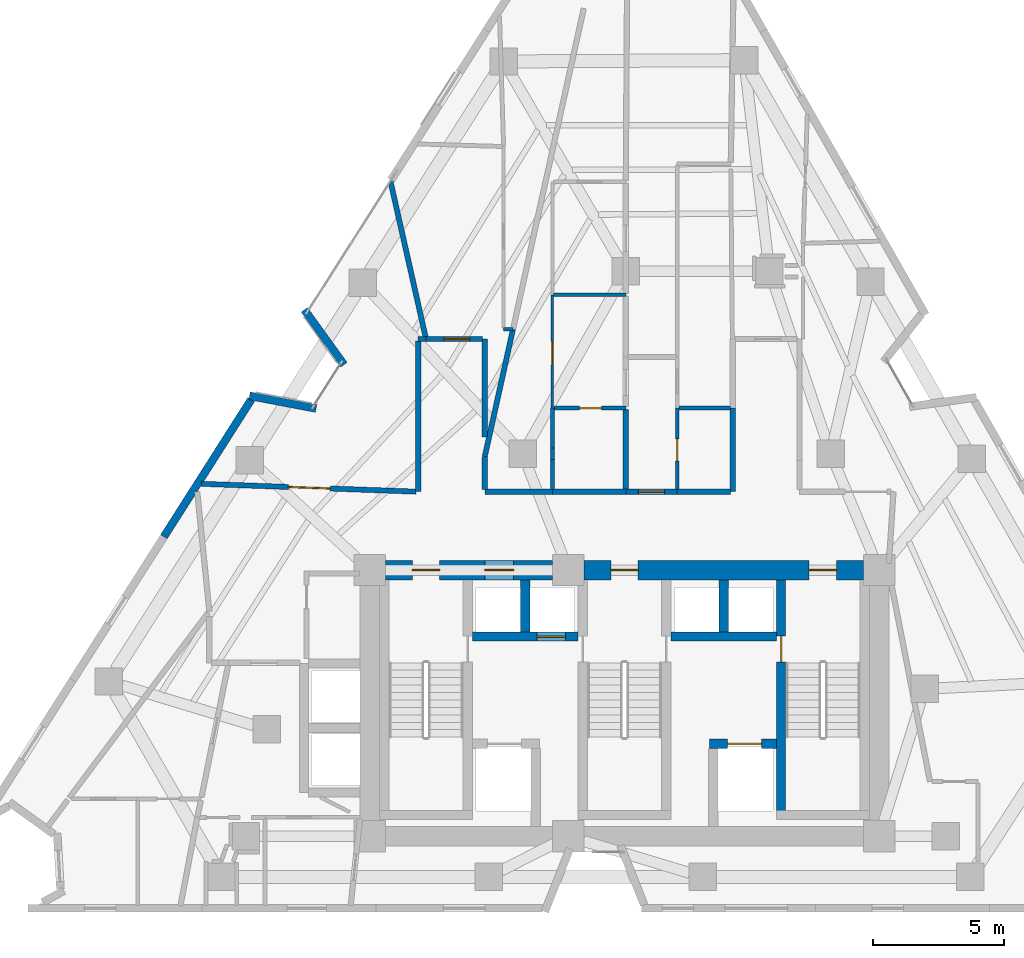
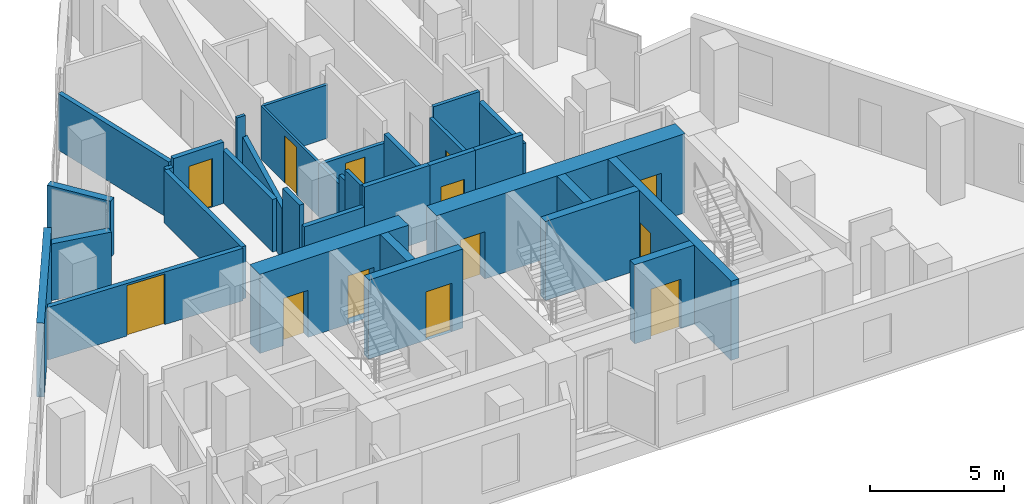
# One storey, part 7 of 11: 34 walls, 13 doors, 13 openings.
"""IFC4 building model written with IfcOpenShell, lengths in metres."""

import ifcopenshell
import ifcopenshell.guid

model = None  # the IFC model being written
_history = None  # IfcOwnerHistory: only IFC2X3 demands one
_inside = {}  # id of a spatial element -> (the spatial element, [elements in it])
_under = {}  # id of a project, library or spatial element -> (it, [spatial elements below it])
_declared = {}  # id of a project -> (the project, [libraries it declares])
_typed = {}  # id of a type object -> (the type object, [elements of that type])
_made_of = {}  # id of a material, layer set ... -> (it, [elements and type objects made of it])


def new_model(schema):
    """Start an empty IFC model of exactly this schema.

    Asked for "IFC4X3", IfcOpenShell would pick the latest addendum, in which some entities
    have other attributes; the version numbers below select the first issue.
    IFC2X3 requires an IfcOwnerHistory on every rooted entity: one is made here for all.
    """
    global model, _history
    if schema == "IFC4X3":
        model = ifcopenshell.file(schema_version=(4, 3, 0, 0))
    else:
        model = ifcopenshell.file(schema=schema)
    _inside.clear()
    _under.clear()
    _declared.clear()
    _typed.clear()
    _made_of.clear()
    _history = None
    if model.schema == "IFC2X3":
        org = make("IfcOrganization", Name="unknown")
        user = make(
            "IfcPersonAndOrganization",
            ThePerson=make("IfcPerson", FamilyName="unknown"),
            TheOrganization=org,
        )
        app = make(
            "IfcApplication",
            ApplicationDeveloper=org,
            Version="unknown",
            ApplicationFullName="unknown",
            ApplicationIdentifier="unknown",
        )
        _history = make(
            "IfcOwnerHistory",
            OwningUser=user,
            OwningApplication=app,
            ChangeAction="ADDED",
            CreationDate=0,
        )
    return model


def make(cls, **values):
    """One entity of the class cls with the attributes given. An attribute that is None is left unset."""
    return model.create_entity(
        cls, **{name: value for name, value in values.items() if value is not None}
    )


def rooted(cls, **values):
    """An entity with a GlobalId (a new one), such as an element, a storey or a relation."""
    return make(cls, GlobalId=ifcopenshell.guid.new(), OwnerHistory=_history, **values)


def si_unit(unit_type, name, prefix=None):
    """IfcSIUnit, for example si_unit("LENGTHUNIT", "METRE", prefix="MILLI")."""
    return make("IfcSIUnit", UnitType=unit_type, Prefix=prefix, Name=name)


def assignment(units):
    """IfcUnitAssignment: the units of a project."""
    return None if units is None else make("IfcUnitAssignment", Units=units)


def point(xyz):
    """IfcCartesianPoint."""
    return None if xyz is None else make("IfcCartesianPoint", Coordinates=xyz)


def direction(xyz):
    """IfcDirection."""
    return None if xyz is None else make("IfcDirection", DirectionRatios=xyz)


def frame(location, z_axis=None, x_axis=None):
    """IfcAxis2Placement3D, a coordinate frame: its origin and axes. An axis left out is left unset."""
    return make(
        "IfcAxis2Placement3D",
        Location=point(location),
        Axis=direction(z_axis),
        RefDirection=direction(x_axis),
    )


def frame_2d(location, x_axis=None):
    """IfcAxis2Placement2D, a coordinate frame in the plane: its origin and x axis."""
    return make(
        "IfcAxis2Placement2D", Location=point(location), RefDirection=direction(x_axis)
    )


def origin():
    """The frame at (0, 0, 0) with its axes left unset."""
    return frame((0.0, 0.0, 0.0))


def place(relative_to, where):
    """IfcLocalPlacement: puts the frame where relative to a parent placement (None: the world)."""
    return make(
        "IfcLocalPlacement", PlacementRelTo=relative_to, RelativePlacement=where
    )


def context(
    kind, dimensions, precision=None, world=None, true_north=None, identifier=None
):
    """IfcGeometricRepresentationContext, for example the 3D "Model" context."""
    return make(
        "IfcGeometricRepresentationContext",
        ContextIdentifier=identifier,
        ContextType=kind,
        CoordinateSpaceDimension=dimensions,
        Precision=precision,
        WorldCoordinateSystem=world,
        TrueNorth=true_north,
    )


def subcontext(parent, identifier, kind, view, scale=None):
    """IfcGeometricRepresentationSubContext, for example "Body" below "Model"."""
    return make(
        "IfcGeometricRepresentationSubContext",
        ContextIdentifier=identifier,
        ContextType=kind,
        ParentContext=parent,
        TargetScale=scale,
        TargetView=view,
    )


def project(units=None, contexts=None):
    """IfcProject with its units and contexts."""
    return rooted(
        "IfcProject",
        Name="project",
        RepresentationContexts=contexts,
        UnitsInContext=assignment(units),
    )


def spatial(cls, under=None, at=None, **own):
    """A site, building, storey or space (cls), placed at a placement, below another one or the project."""
    s = rooted(cls, ObjectPlacement=at, **own)
    if under is not None:
        _under.setdefault(under.id(), (under, []))[1].append(s)
    return s


def profile(cls, at=None, kind="AREA", **sizes):
    """A parametric profile (cls). Its sizes go by their IFC names, for example OverallWidth=200.0."""
    return make(cls, ProfileType=kind, Position=at, **sizes)


def rectangle(**sizes):
    """IfcRectangleProfileDef."""
    return profile("IfcRectangleProfileDef", **sizes)


def extrude(swept, where, along, depth):
    """IfcExtrudedAreaSolid: the profile swept, set in the frame where, extruded along a direction by depth."""
    return make(
        "IfcExtrudedAreaSolid",
        SweptArea=swept,
        Position=where,
        ExtrudedDirection=direction(along),
        Depth=depth,
    )


def shape(context_of_items, identifier, shape_type, items):
    """IfcShapeRepresentation: the items that make up one representation, for example the "Body"."""
    return make(
        "IfcShapeRepresentation",
        ContextOfItems=context_of_items,
        RepresentationIdentifier=identifier,
        RepresentationType=shape_type,
        Items=items,
    )


def material(Name=None, Category=None):
    """IfcMaterial."""
    return make("IfcMaterial", Name=Name, Category=Category)


def layer(
    of_material, thickness, ventilated=None, Name=None, Category=None, Priority=None
):
    """IfcMaterialLayer: one layer of a wall or slab, of a material (None: an air gap)."""
    return make(
        "IfcMaterialLayer",
        Material=of_material,
        LayerThickness=thickness,
        IsVentilated=ventilated,
        Name=Name,
        Category=Category,
        Priority=Priority,
    )


def layer_set(layers, Name=None):
    """IfcMaterialLayerSet."""
    return make("IfcMaterialLayerSet", MaterialLayers=layers, LayerSetName=Name)


def made_of(thing, what):
    """Note that an element or type object is made of a material, layer set ...; save() writes the relation."""
    if what is not None:
        _made_of.setdefault(what.id(), (what, []))[1].append(thing)
    return thing


def type_object(cls, material=None, **own):
    """A type object (cls), such as IfcWallType, which elements share."""
    return made_of(rooted(cls, **own), material)


def element(
    cls,
    number,
    at=None,
    inside=None,
    cuts=None,
    type_object=None,
    material=None,
    context=None,
    identifier="Body",
    shape_type=None,
    held_by="IfcProductDefinitionShape",
    body=None,
    shapes=None,
    **own,
):
    """One element of the class cls, such as IfcWall. Its Tag is "e" and its number.

    at: its placement. inside: the storey or other place that contains it. cuts: it is an
    opening in that element (IfcRelVoidsElement). A single representation is given by context,
    identifier, shape_type and body (its items); several are given by shapes. held_by: the class
    of the entity that holds the representations. save() writes the other relations.
    """
    e = rooted(cls, Tag="e%d" % number, ObjectPlacement=at, **own)
    if body is not None:
        shapes = [shape(context, identifier, shape_type, body)]
    if shapes is not None:
        e.Representation = make(held_by, Representations=shapes)
    if inside is not None:
        _inside.setdefault(inside.id(), (inside, []))[1].append(e)
    if cuts is not None:
        rooted(
            "IfcRelVoidsElement", RelatingBuildingElement=cuts, RelatedOpeningElement=e
        )
    if type_object is not None:
        _typed.setdefault(type_object.id(), (type_object, []))[1].append(e)
    return made_of(e, material)


def fill(opening, filler):
    """IfcRelFillsElement: the door or window that sits in an opening."""
    return rooted(
        "IfcRelFillsElement",
        RelatingOpeningElement=opening,
        RelatedBuildingElement=filler,
    )


def aggregate(whole, parts):
    """IfcRelAggregates: a whole, such as a stair, and the parts it consists of."""
    return rooted("IfcRelAggregates", RelatingObject=whole, RelatedObjects=parts)


def save(model, path):
    """Write the relations noted so far, then the file.

    IfcRelAggregates (storeys below a building ...), IfcRelContainedInSpatialStructure (elements
    in a storey), IfcRelDefinesByType, IfcRelAssociatesMaterial and IfcRelDeclares: one each for
    every whole, place, type object, material and project.
    """
    for whole, parts in _under.values():
        aggregate(whole, parts)
    for where, things in _inside.values():
        rooted(
            "IfcRelContainedInSpatialStructure",
            RelatedElements=things,
            RelatingStructure=where,
        )
    for kind, things in _typed.values():
        rooted("IfcRelDefinesByType", RelatedObjects=things, RelatingType=kind)
    for what, things in _made_of.values():
        rooted("IfcRelAssociatesMaterial", RelatedObjects=things, RelatingMaterial=what)
    for by, libraries in _declared.values():
        rooted("IfcRelDeclares", RelatingContext=by, RelatedDefinitions=libraries)
    model.write(path)


model = new_model("IFC4")

# Units and contexts
model_context = context("Model", 3, precision=1e-05, world=origin(), true_north=direction((0.0, 1.0)))
body_context = subcontext(model_context, "Body", "Model", "MODEL_VIEW")
ifc_project = project(units=[si_unit("LENGTHUNIT", "METRE"), si_unit("AREAUNIT", "SQUARE_METRE"), si_unit("VOLUMEUNIT", "CUBIC_METRE"), si_unit("PLANEANGLEUNIT", "RADIAN"), si_unit("MASSUNIT", "GRAM", prefix="KILO")], contexts=[model_context])

# Site, building, storey
site_placement = place(None, origin())
site = spatial("IfcSite", under=ifc_project, at=site_placement, CompositionType="ELEMENT")
building_placement = place(site_placement, origin())
building = spatial("IfcBuilding", under=site, at=building_placement, Name="Almagre Mirador Tower", CompositionType="ELEMENT")
storey_placement = place(building_placement, frame((0.0, 0.0, 146.39990234375)))
storey = spatial("IfcBuildingStorey", under=building, at=storey_placement, Name="L37", CompositionType="ELEMENT", Elevation=146.39990234375)

# Walls
ifc_material_1 = material(Name="Precast concrete C50/60", Category="concrete")
ifc_layer_1 = layer(ifc_material_1, 0.300048828125)
ifc_layer_set_1 = layer_set([ifc_layer_1], Name="Precast concrete C50/60")
wall_type_1 = type_object("IfcWallType", Name="WAL-EXT-300", PredefinedType="SOLIDWALL", material=ifc_layer_set_1)
wall_1_placement = place(storey_placement, frame((22.94140625, 21.423095703125, 0.0), z_axis=(0.0, 0.0, 1.0), x_axis=(0.982338566422, -0.18711210789, 0.0)))
element("IfcWall", 1, at=wall_1_placement, inside=storey, type_object=wall_type_1, Name="L37 expressed almagre precast frame wall 01", PredefinedType="SOLIDWALL", context=body_context, shape_type="SweptSolid", body=[
    extrude(rectangle(XDim=2.593994140625, YDim=0.300048828125, at=frame_2d((1.296875, 0.0))), origin(), (0.0, 0.0, 1.0), 2.5751953125),
])
wall_2_placement = place(storey_placement, frame((26.556884765625, 22.613525390625, 0.0), z_axis=(0.0, 0.0, 1.0), x_axis=(-0.585229316709, 0.810867835633, 0.0)))
element("IfcWall", 2, at=wall_2_placement, inside=storey, type_object=wall_type_1, Name="L37 expressed almagre precast frame wall 02", PredefinedType="SOLIDWALL", context=body_context, shape_type="SweptSolid", body=[
    extrude(rectangle(XDim=2.593505859375, YDim=0.300048828125, at=frame_2d((1.296875, 0.0))), origin(), (0.0, 0.0, 1.0), 2.5751953125),
])
wall_3_placement = place(storey_placement, frame((19.66064453125, 16.02880859375, 0.0), z_axis=(0.0, 0.0, 1.0), x_axis=(0.537144500921, 0.843490240092, 0.0)))
element("IfcWall", 3, at=wall_3_placement, inside=storey, type_object=wall_type_1, Name="L37 expressed almagre precast frame wall 35", PredefinedType="SOLIDWALL", context=body_context, shape_type="SweptSolid", body=[
    extrude(rectangle(XDim=6.22412109375, YDim=0.300048828125, at=frame_2d((3.112060546875, 0.0))), origin(), (0.0, 0.0, 1.0), 3.35009765625),
])

# Wall, opening, door
ifc_material_2 = material(Name="Gypsum acoustic stud partition", Category="other")
ifc_layer_2 = layer(ifc_material_2, 0.10009765625)
ifc_layer_set_2 = layer_set([ifc_layer_2], Name="Gypsum acoustic stud partition")
wall_type_2 = type_object("IfcWallType", Name="WAL-PRT-100-CLS", PredefinedType="PARTITIONING", material=ifc_layer_set_2)
wall_4_placement = place(storey_placement, frame((34.5400390625, 20.949951171875, 0.0), z_axis=(0.0, 0.0, 1.0), x_axis=(0.0, 1.0, 0.0)))
wall_4 = element("IfcWall", 4, at=wall_4_placement, inside=storey, type_object=wall_type_2, Name="L37 interior partition 050", PredefinedType="PARTITIONING", context=body_context, shape_type="SweptSolid", body=[
    extrude(rectangle(XDim=4.340087890625, YDim=0.10009765625, at=frame_2d((2.169921875, 0.0))), origin(), (0.0, 0.0, 1.0), 2.43603515625),
])
opening_1_placement = place(wall_4_placement, frame((1.66162109375, 0.0, 0.0)))
opening_1 = element("IfcOpeningElement", 5, at=opening_1_placement, cuts=wall_4, Name="Opening UD-02", PredefinedType="OPENING", context=body_context, shape_type="SweptSolid", body=[
    extrude(rectangle(XDim=0.89990234375, YDim=2.14990234375, at=frame_2d((0.449951171875, 1.074951171875))), frame((0.0, 0.060049, 0.0), z_axis=(0.0, -1.0, 0.0), x_axis=(1.0, 0.0, 0.0)), (0.0, 0.0, 1.0), 0.120098),
])
ifc_material_3 = material(Name="Solid American walnut timber", Category="wood")
door_type_1 = type_object("IfcDoorType", Name="DOR-UNR-900X2150", OperationType="NOTDEFINED", PredefinedType="DOOR", material=ifc_material_3)
door_1_placement = place(opening_1_placement, origin())
door_1 = element("IfcDoor", 6, at=door_1_placement, inside=storey, type_object=door_type_1, Name="DR-1206 L37 interior door L37-UG-LV to L37-UG-MB", OperationType="SINGLE_SWING_RIGHT", OverallHeight=2.14990234375, OverallWidth=0.89990234375, PredefinedType="DOOR", context=body_context, shape_type="SweptSolid", body=[
    extrude(rectangle(XDim=0.89990234375, YDim=2.14990234375, at=frame_2d((0.449951171875, 1.074951171875))), frame((0.0, 0.02490234375, 0.0), z_axis=(0.0, -1.0, 0.0), x_axis=(1.0, 0.0, 0.0)), (0.0, 0.0, 1.0), 0.050048828125),
])
fill(opening_1, door_1)

# Walls
ifc_material_4 = material(Name="Gypsum acoustic stud partition", Category="other")
ifc_layer_3 = layer(ifc_material_4, 0.125)
ifc_layer_set_3 = layer_set([ifc_layer_3], Name="Gypsum acoustic stud partition")
wall_type_3 = type_object("IfcWallType", Name="WAL-PRT-125-UTL", PredefinedType="PARTITIONING", material=ifc_layer_set_3)
wall_5_placement = place(storey_placement, frame((34.58740234375, 25.2900390625, 0.0), z_axis=(0.0, 0.0, 1.0), x_axis=(1.0, 0.0, 0.0)))
element("IfcWall", 7, at=wall_5_placement, inside=storey, type_object=wall_type_3, Name="L37 interior partition 056", PredefinedType="PARTITIONING", context=body_context, shape_type="SweptSolid", body=[
    extrude(rectangle(XDim=2.7626953125, YDim=0.125, at=frame_2d((1.38134765625, 0.0))), origin(), (0.0, 0.0, 1.0), 2.43603515625),
])
wall_6_placement = place(storey_placement, frame((33.030029296875, 23.969970703125, 0.0), z_axis=(0.0, 0.0, 1.0), x_axis=(-1.0, 0.0, 0.0)))
element("IfcWall", 8, at=wall_6_placement, inside=storey, type_object=wall_type_3, Name="L37 interior partition 060", PredefinedType="PARTITIONING", context=body_context, shape_type="SweptSolid", body=[
    extrude(rectangle(XDim=0.360107421875, YDim=0.125, at=frame_2d((0.18017578125, 0.0))), origin(), (0.0, 0.0, 1.0), 3.35009765625),
])
ifc_material_5 = material(Name="Gypsum acoustic stud partition", Category="other")
ifc_layer_4 = layer(ifc_material_5, 0.14990234375)
ifc_layer_set_4 = layer_set([ifc_layer_4], Name="Gypsum acoustic stud partition")
wall_type_4 = type_object("IfcWallType", Name="WAL-PRT-150-STD", PredefinedType="PARTITIONING", material=ifc_layer_set_4)
wall_7_placement = place(storey_placement, frame((34.5400390625, 17.8349609375, 0.0), z_axis=(0.0, 0.0, 1.0), x_axis=(0.0, 1.0, 0.0)))
element("IfcWall", 9, at=wall_7_placement, inside=storey, type_object=wall_type_4, Name="L37 interior partition 046", PredefinedType="PARTITIONING", context=body_context, shape_type="SweptSolid", body=[
    extrude(rectangle(XDim=1.14501953125, YDim=0.14990234375, at=frame_2d((0.572509765625, 0.0))), origin(), (0.0, 0.0, 1.0), 3.35009765625),
])
wall_8_placement = place(storey_placement, frame((34.5400390625, 19.419921875, 0.0), z_axis=(0.0, 0.0, 1.0), x_axis=(0.0, 1.0, 0.0)))
element("IfcWall", 10, at=wall_8_placement, inside=storey, type_object=wall_type_4, Name="L37 interior partition 047", PredefinedType="PARTITIONING", context=body_context, shape_type="SweptSolid", body=[
    extrude(rectangle(XDim=1.530029296875, YDim=0.14990234375, at=frame_2d((0.76513671875, 0.0))), origin(), (0.0, 0.0, 1.0), 2.43603515625),
])

# Wall, opening, door
wall_9_placement = place(storey_placement, frame((37.35009765625, 20.949951171875, 0.0), z_axis=(0.0, 0.0, 1.0), x_axis=(-1.0, 0.0, 0.0)))
wall_9 = element("IfcWall", 11, at=wall_9_placement, inside=storey, type_object=wall_type_4, Name="L37 interior partition 054", PredefinedType="PARTITIONING", context=body_context, shape_type="SweptSolid", body=[
    extrude(rectangle(XDim=2.75, YDim=0.14990234375, at=frame_2d((1.375, 0.0))), origin(), (0.0, 0.0, 1.0), 2.43603515625),
])
opening_2_placement = place(wall_9_placement, frame((0.924072265625, 0.0, 0.0)))
opening_2 = element("IfcOpeningElement", 12, at=opening_2_placement, cuts=wall_9, Name="Opening UD-04", PredefinedType="OPENING", context=body_context, shape_type="SweptSolid", body=[
    extrude(rectangle(XDim=0.85009765625, YDim=2.10009765625, at=frame_2d((0.425048828125, 1.050048828125))), frame((0.0, 0.084951, 0.0), z_axis=(0.0, -1.0, 0.0), x_axis=(1.0, 0.0, 0.0)), (0.0, 0.0, 1.0), 0.169902),
])
ifc_material_6 = material(Name="Moisture-resistant oak timber", Category="wood")
door_type_2 = type_object("IfcDoorType", Name="DOR-UNR-850X2100", OperationType="NOTDEFINED", PredefinedType="DOOR", material=ifc_material_6)
door_2_placement = place(opening_2_placement, origin())
door_2 = element("IfcDoor", 13, at=door_2_placement, inside=storey, type_object=door_type_2, Name="DR-1217 L37 interior door L37-UG-HB to L37-UG-MB", OperationType="SINGLE_SWING_RIGHT", OverallHeight=2.10009765625, OverallWidth=0.85009765625, PredefinedType="DOOR", context=body_context, shape_type="SweptSolid", body=[
    extrude(rectangle(XDim=0.85009765625, YDim=2.10009765625, at=frame_2d((0.425048828125, 1.050048828125))), frame((0.0, 0.02490234375, 0.0), z_axis=(0.0, -1.0, 0.0), x_axis=(1.0, 0.0, 0.0)), (0.0, 0.0, 1.0), 0.050048828125),
])
fill(opening_2, door_2)

wall_10_placement = place(storey_placement, frame((39.320068359375, 17.8349609375, 0.0), z_axis=(0.0, 0.0, 1.0), x_axis=(0.0, 1.0, 0.0)))
wall_10 = element("IfcWall", 14, at=wall_10_placement, inside=storey, type_object=wall_type_4, Name="L37 interior partition 064", PredefinedType="PARTITIONING", context=body_context, shape_type="SweptSolid", body=[
    extrude(rectangle(XDim=3.114990234375, YDim=0.14990234375, at=frame_2d((1.5576171875, 0.0))), origin(), (0.0, 0.0, 1.0), 2.85302734375),
])
opening_3_placement = place(wall_10_placement, frame((1.090087890625, 0.0, 0.0)))
opening_3 = element("IfcOpeningElement", 15, at=opening_3_placement, cuts=wall_10, Name="Opening UD-04", PredefinedType="OPENING", context=body_context, shape_type="SweptSolid", body=[
    extrude(rectangle(XDim=0.85009765625, YDim=2.10009765625, at=frame_2d((0.425048828125, 1.050048828125))), frame((0.0, 0.084951, 0.0), z_axis=(0.0, -1.0, 0.0), x_axis=(1.0, 0.0, 0.0)), (0.0, 0.0, 1.0), 0.169902),
])
door_3_placement = place(opening_3_placement, origin())
door_3 = element("IfcDoor", 16, at=door_3_placement, inside=storey, type_object=door_type_2, Name="DR-1211 L37 interior door L37-UJ-ST to L37-UJ-HB", OperationType="SINGLE_SWING_RIGHT", OverallHeight=2.10009765625, OverallWidth=0.85009765625, PredefinedType="DOOR", context=body_context, shape_type="SweptSolid", body=[
    extrude(rectangle(XDim=0.85009765625, YDim=2.10009765625, at=frame_2d((0.425048828125, 1.050048828125))), frame((0.0, 0.02490234375, 0.0), z_axis=(0.0, -1.0, 0.0), x_axis=(1.0, 0.0, 0.0)), (0.0, 0.0, 1.0), 0.050048828125),
])
fill(opening_3, door_3)

# Walls
wall_11_placement = place(storey_placement, frame((41.364990234375, 20.949951171875, 0.0), z_axis=(0.0, 0.0, 1.0), x_axis=(-1.0, 0.0, 0.0)))
element("IfcWall", 17, at=wall_11_placement, inside=storey, type_object=wall_type_4, Name="L37 interior partition 067", PredefinedType="PARTITIONING", context=body_context, shape_type="SweptSolid", body=[
    extrude(rectangle(XDim=1.985107421875, YDim=0.14990234375, at=frame_2d((0.99267578125, 0.0))), origin(), (0.0, 0.0, 1.0), 3.35009765625),
])
wall_12_placement = place(storey_placement, frame((34.5400390625, 19.419921875, 0.0), z_axis=(0.0, 0.0, 1.0), x_axis=(0.0, -1.0, 0.0)))
element("IfcWall", 18, at=wall_12_placement, inside=storey, type_object=wall_type_4, Name="L37 interior partition 087", PredefinedType="PARTITIONING", context=body_context, shape_type="SweptSolid", body=[
    extrude(rectangle(XDim=0.43994140625, YDim=0.14990234375, at=frame_2d((0.219970703125, 0.0))), origin(), (0.0, 0.0, 1.0), 2.85302734375),
])
ifc_material_7 = material(Name="Gypsum acoustic stud partition", Category="other")
ifc_layer_5 = layer(ifc_material_7, 0.199951171875)
ifc_layer_set_5 = layer_set([ifc_layer_5], Name="Gypsum acoustic stud partition")
wall_type_5 = type_object("IfcWallType", Name="WAL-PRT-200-EI60", PredefinedType="PARTITIONING", material=ifc_layer_set_5)
wall_13_placement = place(storey_placement, frame((29.699951171875, 23.60009765625, 0.0), z_axis=(0.0, 0.0, 1.0), x_axis=(-1.0, 0.0, 0.0)))
element("IfcWall", 19, at=wall_13_placement, inside=storey, type_object=wall_type_5, Name="L37 interior partition 007", PredefinedType="PARTITIONING", context=body_context, shape_type="SweptSolid", body=[
    extrude(rectangle(XDim=0.300048828125, YDim=0.199951171875, at=frame_2d((0.14990234375, 0.0))), origin(), (0.0, 0.0, 1.0), 2.39306640625),
])
wall_14_placement = place(storey_placement, frame((29.39990234375, 23.514892578125, 0.0), z_axis=(0.0, 0.0, 1.0), x_axis=(0.0, -1.0, 0.0)))
element("IfcWall", 20, at=wall_14_placement, inside=storey, type_object=wall_type_5, Name="L37 interior partition 008", PredefinedType="PARTITIONING", context=body_context, shape_type="SweptSolid", body=[
    extrude(rectangle(XDim=5.764892578125, YDim=0.199951171875, at=frame_2d((2.88232421875, 0.0))), origin(), (0.0, 0.0, 1.0), 2.39306640625),
])

# Wall, opening, door
wall_15_placement = place(storey_placement, frame((29.315185546875, 17.7529296875, 0.0), z_axis=(0.0, 0.0, 1.0), x_axis=(-0.999333344418, 0.036508447439, 0.0)))
wall_15 = element("IfcWall", 21, at=wall_15_placement, inside=storey, type_object=wall_type_5, Name="L37 interior partition 009", PredefinedType="PARTITIONING", context=body_context, shape_type="SweptSolid", body=[
    extrude(rectangle(XDim=8.218505859375, YDim=0.199951171875, at=frame_2d((4.109375, 0.0))), origin(), (0.0, 0.0, 1.0), 2.39306640625),
])
opening_4_placement = place(wall_15_placement, frame((3.28662109375, 0.0, 0.0)))
opening_4 = element("IfcOpeningElement", 22, at=opening_4_placement, cuts=wall_15, Name="Opening ID-05", PredefinedType="OPENING", context=body_context, shape_type="SweptSolid", body=[
    extrude(rectangle(XDim=1.60009765625, YDim=2.300048828125, at=frame_2d((0.800048828125, 1.14990234375))), frame((0.0, 0.110098, 0.0), z_axis=(0.0, -1.0, 0.0), x_axis=(1.0, 0.0, 0.0)), (0.0, 0.0, 1.0), 0.219951),
])
ifc_material_8 = material(Name="Fire-rated acoustic timber", Category="wood")
door_type_3 = type_object("IfcDoorType", Name="DOR-FD60-1600X2300", OperationType="DOUBLE_DOOR_SINGLE_SWING", PredefinedType="DOOR", material=ifc_material_8)
door_4_placement = place(opening_4_placement, origin())
door_4 = element("IfcDoor", 23, at=door_4_placement, inside=storey, type_object=door_type_3, Name="DR-1198 L37 interior door L37-RCOR to L37-RST-F", OperationType="DOUBLE_DOOR_SINGLE_SWING", OverallHeight=2.300048828125, OverallWidth=1.60009765625, PredefinedType="DOOR", context=body_context, shape_type="SweptSolid", body=[
    extrude(rectangle(XDim=1.60009765625, YDim=2.300048828125, at=frame_2d((0.800048828125, 1.14990234375))), frame((0.0, 0.02490234375, 0.0), z_axis=(0.0, -1.0, 0.0), x_axis=(1.0, 0.0, 0.0)), (0.0, 0.0, 1.0), 0.050048828125),
])
fill(opening_4, door_4)

# Walls
wall_16_placement = place(storey_placement, frame((34.5400390625, 17.75, 0.0), z_axis=(0.0, 0.0, 1.0), x_axis=(-1.0, 0.0, 0.0)))
element("IfcWall", 24, at=wall_16_placement, inside=storey, type_object=wall_type_5, Name="L37 interior partition 011", PredefinedType="PARTITIONING", context=body_context, shape_type="SweptSolid", body=[
    extrude(rectangle(XDim=2.590087890625, YDim=0.199951171875, at=frame_2d((1.294921875, 0.0))), origin(), (0.0, 0.0, 1.0), 2.43603515625),
])
wall_17_placement = place(storey_placement, frame((31.949951171875, 17.8349609375, 0.0), z_axis=(0.0, 0.0, 1.0), x_axis=(0.0, 1.0, 0.0)))
element("IfcWall", 25, at=wall_17_placement, inside=storey, type_object=wall_type_5, Name="L37 interior partition 012", PredefinedType="PARTITIONING", context=body_context, shape_type="SweptSolid", body=[
    extrude(rectangle(XDim=1.26513671875, YDim=0.199951171875, at=frame_2d((0.632568359375, 0.0))), origin(), (0.0, 0.0, 1.0), 3.35009765625),
])
wall_18_placement = place(storey_placement, frame((37.35009765625, 17.75, 0.0), z_axis=(0.0, 0.0, 1.0), x_axis=(-1.0, 0.0, 0.0)))
element("IfcWall", 26, at=wall_18_placement, inside=storey, type_object=wall_type_5, Name="L37 interior partition 013", PredefinedType="PARTITIONING", context=body_context, shape_type="SweptSolid", body=[
    extrude(rectangle(XDim=2.81005859375, YDim=0.199951171875, at=frame_2d((1.405029296875, 0.0))), origin(), (0.0, 0.0, 1.0), 3.35009765625),
])
wall_19_placement = place(storey_placement, frame((31.949951171875, 19.839111328125, 0.0), z_axis=(0.0, 0.0, 1.0), x_axis=(0.0, 1.0, 0.0)))
element("IfcWall", 27, at=wall_19_placement, inside=storey, type_object=wall_type_5, Name="L37 interior partition 014", PredefinedType="PARTITIONING", context=body_context, shape_type="SweptSolid", body=[
    extrude(rectangle(XDim=3.760986328125, YDim=0.199951171875, at=frame_2d((1.88037109375, 0.0))), origin(), (0.0, 0.0, 1.0), 2.39306640625),
])

# Wall, opening, door
wall_20_placement = place(storey_placement, frame((31.864990234375, 23.60009765625, 0.0), z_axis=(0.0, 0.0, 1.0), x_axis=(-1.0, 0.0, 0.0)))
wall_20 = element("IfcWall", 28, at=wall_20_placement, inside=storey, type_object=wall_type_5, Name="L37 interior partition 015", PredefinedType="PARTITIONING", context=body_context, shape_type="SweptSolid", body=[
    extrude(rectangle(XDim=2.1650390625, YDim=0.199951171875, at=frame_2d((1.08251953125, 0.0))), origin(), (0.0, 0.0, 1.0), 2.787109375),
])
opening_5_placement = place(wall_20_placement, frame((0.486083984375, 0.0, 0.0)))
opening_5 = element("IfcOpeningElement", 29, at=opening_5_placement, cuts=wall_20, Name="Opening ID-01", PredefinedType="OPENING", context=body_context, shape_type="SweptSolid", body=[
    extrude(rectangle(XDim=1.0, YDim=2.199951171875, at=frame_2d((0.5, 1.10009765625))), frame((0.0, 0.110098, 0.0), z_axis=(0.0, -1.0, 0.0), x_axis=(1.0, 0.0, 0.0)), (0.0, 0.0, 1.0), 0.219951),
])
ifc_material_9 = material(Name="Fire-rated walnut timber", Category="wood")
door_type_4 = type_object("IfcDoorType", Name="DOR-FD60-1000X2200", OperationType="NOTDEFINED", PredefinedType="DOOR", material=ifc_material_9)
door_5_placement = place(opening_5_placement, origin())
door_5 = element("IfcDoor", 30, at=door_5_placement, inside=storey, type_object=door_type_4, Name="DR-1207 L37 interior door L37-RCOR to L37-UH-ST", OperationType="SINGLE_SWING_LEFT", OverallHeight=2.199951171875, OverallWidth=1.0, PredefinedType="DOOR", context=body_context, shape_type="SweptSolid", body=[
    extrude(rectangle(XDim=1.0, YDim=2.199951171875, at=frame_2d((0.5, 1.10009765625))), frame((0.0, 0.02490234375, 0.0), z_axis=(0.0, -1.0, 0.0), x_axis=(1.0, 0.0, 0.0)), (0.0, 0.0, 1.0), 0.050048828125),
])
fill(opening_5, door_5)

wall_21_placement = place(storey_placement, frame((39.320068359375, 17.75, 0.0), z_axis=(0.0, 0.0, 1.0), x_axis=(-1.0, 0.0, 0.0)))
wall_21 = element("IfcWall", 31, at=wall_21_placement, inside=storey, type_object=wall_type_5, Name="L37 interior partition 016", PredefinedType="PARTITIONING", context=body_context, shape_type="SweptSolid", body=[
    extrude(rectangle(XDim=1.969970703125, YDim=0.199951171875, at=frame_2d((0.98486328125, 0.0))), origin(), (0.0, 0.0, 1.0), 3.35009765625),
])
opening_6_placement = place(wall_21_placement, frame((0.485107421875, 0.0, 0.0)))
opening_6 = element("IfcOpeningElement", 32, at=opening_6_placement, cuts=wall_21, Name="Opening ID-01", PredefinedType="OPENING", context=body_context, shape_type="SweptSolid", body=[
    extrude(rectangle(XDim=1.0, YDim=2.199951171875, at=frame_2d((0.5, 1.10009765625))), frame((0.0, 0.110098, 0.0), z_axis=(0.0, -1.0, 0.0), x_axis=(1.0, 0.0, 0.0)), (0.0, 0.0, 1.0), 0.219951),
])
door_6_placement = place(opening_6_placement, origin())
door_6 = element("IfcDoor", 33, at=door_6_placement, inside=storey, type_object=door_type_4, Name="DR-1209 L37 interior door L37-RCOR to L37-UJ-ST", OperationType="SINGLE_SWING_RIGHT", OverallHeight=2.199951171875, OverallWidth=1.0, PredefinedType="DOOR", context=body_context, shape_type="SweptSolid", body=[
    extrude(rectangle(XDim=1.0, YDim=2.199951171875, at=frame_2d((0.5, 1.10009765625))), frame((0.0, 0.02490234375, 0.0), z_axis=(0.0, -1.0, 0.0), x_axis=(1.0, 0.0, 0.0)), (0.0, 0.0, 1.0), 0.050048828125),
])
fill(opening_6, door_6)

# Walls
wall_22_placement = place(storey_placement, frame((41.449951171875, 20.949951171875, 0.0), z_axis=(0.0, 0.0, 1.0), x_axis=(0.0, -1.0, 0.0)))
element("IfcWall", 34, at=wall_22_placement, inside=storey, type_object=wall_type_5, Name="L37 interior partition 017", PredefinedType="PARTITIONING", context=body_context, shape_type="SweptSolid", body=[
    extrude(rectangle(XDim=3.199951171875, YDim=0.199951171875, at=frame_2d((1.60009765625, 0.0))), origin(), (0.0, 0.0, 1.0), 2.85302734375),
])
wall_23_placement = place(storey_placement, frame((41.364990234375, 17.75, 0.0), z_axis=(0.0, 0.0, 1.0), x_axis=(-1.0, 0.0, 0.0)))
element("IfcWall", 35, at=wall_23_placement, inside=storey, type_object=wall_type_5, Name="L37 interior partition 018", PredefinedType="PARTITIONING", context=body_context, shape_type="SweptSolid", body=[
    extrude(rectangle(XDim=2.044921875, YDim=0.199951171875, at=frame_2d((1.0224609375, 0.0))), origin(), (0.0, 0.0, 1.0), 3.35009765625),
])
wall_24_placement = place(storey_placement, frame((29.681884765625, 23.68310546875, 0.0), z_axis=(0.0, 0.0, 1.0), x_axis=(-0.22009949455, 0.97547742798, 0.0)))
element("IfcWall", 36, at=wall_24_placement, inside=storey, type_object=wall_type_5, Name="L37 interior partition 045", PredefinedType="PARTITIONING", context=body_context, shape_type="SweptSolid", body=[
    extrude(rectangle(XDim=6.0830078125, YDim=0.199951171875, at=frame_2d((3.04150390625, 0.0))), origin(), (0.0, 0.0, 1.0), 2.570068359375),
])
wall_25_placement = place(storey_placement, frame((33.030029296875, 23.969970703125, 0.0), z_axis=(0.0, 0.0, 1.0), x_axis=(-0.216526223157, -0.976276802288, 0.0)))
element("IfcWall", 37, at=wall_25_placement, inside=storey, type_object=wall_type_5, Name="L37 interior partition 051", PredefinedType="PARTITIONING", context=body_context, shape_type="SweptSolid", body=[
    extrude(rectangle(XDim=4.98828125, YDim=0.199951171875, at=frame_2d((2.494140625, 0.0))), origin(), (0.0, 0.0, 1.0), 2.39306640625),
])
wall_26_placement = place(storey_placement, frame((37.35009765625, 17.8349609375, 0.0), z_axis=(0.0, 0.0, 1.0), x_axis=(0.0, 1.0, 0.0)))
element("IfcWall", 38, at=wall_26_placement, inside=storey, type_object=wall_type_5, Name="L37 interior partition 055", PredefinedType="PARTITIONING", context=body_context, shape_type="SweptSolid", body=[
    extrude(rectangle(XDim=3.054931640625, YDim=0.199951171875, at=frame_2d((1.52734375, 0.0))), origin(), (0.0, 0.0, 1.0), 2.85302734375),
])

# Wall, opening, door
ifc_material_10 = material(Name="Concrete C60/75", Category="concrete")
ifc_layer_6 = layer(ifc_material_10, 0.35009765625)
ifc_layer_set_6 = layer_set([ifc_layer_6], Name="Concrete C60/75")
wall_type_6 = type_object("IfcWallType", Name="WAL-SHF-350", PredefinedType="SOLIDWALL", material=ifc_layer_set_6)
wall_27_placement = place(storey_placement, frame((43.300048828125, 5.199951171875, 0.0), z_axis=(0.0, 0.0, 1.0), x_axis=(0.0, 1.0, 0.0)))
wall_27 = element("IfcWall", 39, at=wall_27_placement, inside=storey, type_object=wall_type_6, Name="L37 shaft wall ST3-W", PredefinedType="SOLIDWALL", context=body_context, shape_type="SweptSolid", body=[
    extrude(rectangle(XDim=9.175048828125, YDim=0.35009765625, at=frame_2d((4.58740234375, 0.0))), origin(), (0.0, 0.0, 1.0), 3.60009765625),
])
opening_7_placement = place(wall_27_placement, frame((6.02001953125, 0.0, 0.0)))
opening_7 = element("IfcOpeningElement", 40, at=opening_7_placement, cuts=wall_27, Name="Opening FD-01", PredefinedType="OPENING", context=body_context, shape_type="SweptSolid", body=[
    extrude(rectangle(XDim=1.0, YDim=2.14990234375, at=frame_2d((0.5, 1.074951171875))), frame((0.0, 0.185049, 0.0), z_axis=(0.0, -1.0, 0.0), x_axis=(1.0, 0.0, 0.0)), (0.0, 0.0, 1.0), 0.370098),
])
ifc_material_11 = material(Name="Fire-rated hollow steel", Category="steel")
door_type_5 = type_object("IfcDoorType", Name="DOR-FFL-1000X2150", OperationType="NOTDEFINED", PredefinedType="DOOR", material=ifc_material_11)
door_7_placement = place(opening_7_placement, origin())
door_7 = element("IfcDoor", 41, at=door_7_placement, inside=storey, type_object=door_type_5, Name="DR-1196 L37 FFL2-ST3 smokeproof door", OperationType="SINGLE_SWING_RIGHT", OverallHeight=2.14990234375, OverallWidth=1.0, PredefinedType="DOOR", context=body_context, shape_type="SweptSolid", body=[
    extrude(rectangle(XDim=1.0, YDim=2.14990234375, at=frame_2d((0.5, 1.074951171875))), frame((0.0, 0.02490234375, 0.0), z_axis=(0.0, -1.0, 0.0), x_axis=(1.0, 0.0, 0.0)), (0.0, 0.0, 1.0), 0.050048828125),
])
fill(opening_7, door_7)

wall_28_placement = place(storey_placement, frame((40.550048828125, 8.10009765625, 0.0), z_axis=(0.0, 0.0, 1.0), x_axis=(1.0, 0.0, 0.0)))
wall_28 = element("IfcWall", 42, at=wall_28_placement, inside=storey, type_object=wall_type_6, Name="L37 shaft wall FSAE2-N", PredefinedType="SOLIDWALL", context=body_context, shape_type="SweptSolid", body=[
    extrude(rectangle(XDim=2.574951171875, YDim=0.35009765625, at=frame_2d((1.28759765625, 0.0))), origin(), (0.0, 0.0, 1.0), 3.60009765625),
])
opening_8_placement = place(wall_28_placement, frame((0.699951171875, 0.0, 0.0)))
opening_8 = element("IfcOpeningElement", 43, at=opening_8_placement, cuts=wall_28, Name="Opening LD-03", PredefinedType="OPENING", context=body_context, shape_type="SweptSolid", body=[
    extrude(rectangle(XDim=1.300048828125, YDim=2.25, at=frame_2d((0.64990234375, 1.125))), frame((0.0, 0.185049, 0.0), z_axis=(0.0, -1.0, 0.0), x_axis=(1.0, 0.0, 0.0)), (0.0, 0.0, 1.0), 0.370098),
])
ifc_material_12 = material(Name="Hollow stainless steel", Category="steel")
door_type_6 = type_object("IfcDoorType", Name="DOR-LD-1300X2250", OperationType="DOUBLE_DOOR_SLIDING", PredefinedType="DOOR", material=ifc_material_12)
door_8_placement = place(opening_8_placement, origin())
door_8 = element("IfcDoor", 44, at=door_8_placement, inside=storey, type_object=door_type_6, Name="DR-1220 L37 FSAE-2 lift landing door", OperationType="DOUBLE_DOOR_SLIDING", OverallHeight=2.25, OverallWidth=1.300048828125, PredefinedType="DOOR", context=body_context, shape_type="SweptSolid", body=[
    extrude(rectangle(XDim=1.300048828125, YDim=2.25, at=frame_2d((0.64990234375, 1.125))), frame((0.0, 0.02490234375, 0.0), z_axis=(0.0, -1.0, 0.0), x_axis=(1.0, 0.0, 0.0)), (0.0, 0.0, 1.0), 0.050048828125),
])
fill(opening_8, door_8)

wall_29_placement = place(storey_placement, frame((31.47509765625, 12.199951171875, 0.0), z_axis=(0.0, 0.0, 1.0), x_axis=(1.0, 0.0, 0.0)))
wall_29 = element("IfcWall", 45, at=wall_29_placement, inside=storey, type_object=wall_type_6, Name="L37 shaft wall PLM-S", PredefinedType="SOLIDWALL", context=body_context, shape_type="SweptSolid", body=[
    extrude(rectangle(XDim=4.0498046875, YDim=0.35009765625, at=frame_2d((2.02490234375, 0.0))), origin(), (0.0, 0.0, 1.0), 3.60009765625),
])
opening_9_placement = place(wall_29_placement, frame((2.47509765625, 0.0, 0.0)))
opening_9 = element("IfcOpeningElement", 46, at=opening_9_placement, cuts=wall_29, Name="Opening LD-01", PredefinedType="OPENING", context=body_context, shape_type="SweptSolid", body=[
    extrude(rectangle(XDim=1.10009765625, YDim=2.199951171875, at=frame_2d((0.550048828125, 1.10009765625))), frame((0.0, 0.185049, 0.0), z_axis=(0.0, -1.0, 0.0), x_axis=(1.0, 0.0, 0.0)), (0.0, 0.0, 1.0), 0.370098),
])
ifc_material_13 = material(Name="Hollow stainless steel", Category="steel")
door_type_7 = type_object("IfcDoorType", Name="DOR-LD-1100X2200", OperationType="DOUBLE_DOOR_SLIDING", PredefinedType="DOOR", material=ifc_material_13)
door_9_placement = place(opening_9_placement, origin())
door_9 = element("IfcDoor", 47, at=door_9_placement, inside=storey, type_object=door_type_7, Name="DR-1222 L37 PL-M2 lift landing door", OperationType="DOUBLE_DOOR_SLIDING", OverallHeight=2.199951171875, OverallWidth=1.10009765625, PredefinedType="DOOR", context=body_context, shape_type="SweptSolid", body=[
    extrude(rectangle(XDim=1.10009765625, YDim=2.199951171875, at=frame_2d((0.550048828125, 1.10009765625))), frame((0.0, 0.02490234375, 0.0), z_axis=(0.0, -1.0, 0.0), x_axis=(1.0, 0.0, 0.0)), (0.0, 0.0, 1.0), 0.050048828125),
])
fill(opening_9, door_9)

# Walls
wall_30_placement = place(storey_placement, frame((33.5, 12.375, 0.0), z_axis=(0.0, 0.0, 1.0), x_axis=(0.0, 1.0, 0.0)))
element("IfcWall", 48, at=wall_30_placement, inside=storey, type_object=wall_type_6, Name="L37 shaft wall PLM-M", PredefinedType="SOLIDWALL", context=body_context, shape_type="SweptSolid", body=[
    extrude(rectangle(XDim=2.0, YDim=0.35009765625, at=frame_2d((1.0, 0.0))), origin(), (0.0, 0.0, 1.0), 3.60009765625),
])
wall_31_placement = place(storey_placement, frame((39.074951171875, 12.199951171875, 0.0), z_axis=(0.0, 0.0, 1.0), x_axis=(1.0, 0.0, 0.0)))
element("IfcWall", 49, at=wall_31_placement, inside=storey, type_object=wall_type_6, Name="L37 shaft wall PLH-S", PredefinedType="SOLIDWALL", context=body_context, shape_type="SweptSolid", body=[
    extrude(rectangle(XDim=4.050048828125, YDim=0.35009765625, at=frame_2d((2.02490234375, 0.0))), origin(), (0.0, 0.0, 1.0), 3.60009765625),
])
wall_32_placement = place(storey_placement, frame((41.10009765625, 12.375, 0.0), z_axis=(0.0, 0.0, 1.0), x_axis=(0.0, 1.0, 0.0)))
element("IfcWall", 50, at=wall_32_placement, inside=storey, type_object=wall_type_6, Name="L37 shaft wall PLH-M", PredefinedType="SOLIDWALL", context=body_context, shape_type="SweptSolid", body=[
    extrude(rectangle(XDim=2.0, YDim=0.35009765625, at=frame_2d((1.0, 0.0))), origin(), (0.0, 0.0, 1.0), 3.60009765625),
])

# Wall, openings, doors
ifc_material_14 = material(Name="Concrete C60/75", Category="concrete")
ifc_layer_7 = layer(ifc_material_14, 0.75)
ifc_layer_set_7 = layer_set([ifc_layer_7], Name="Concrete C60/75")
wall_type_7 = type_object("IfcWallType", Name="WAL-SHR-750", PredefinedType="SHEAR", material=ifc_layer_set_7)
wall_33_placement = place(storey_placement, frame((28.14990234375, 14.75, 0.0), z_axis=(0.0, 0.0, 1.0), x_axis=(1.0, 0.0, 0.0)))
wall_33 = element("IfcWall", 51, at=wall_33_placement, inside=storey, type_object=wall_type_7, Name="L37 core shear wall N1", PredefinedType="SHEAR", context=body_context, shape_type="SweptSolid", body=[
    extrude(rectangle(XDim=6.400146484375, YDim=0.75, at=frame_2d((3.2001953125, 0.0))), origin(), (0.0, 0.0, 1.0), 3.60009765625),
])
opening_10_placement = place(wall_33_placement, frame((1.02490234375, 0.0, 0.0)))
opening_10 = element("IfcOpeningElement", 52, at=opening_10_placement, cuts=wall_33, Name="Opening SD-01", PredefinedType="OPENING", context=body_context, shape_type="SweptSolid", body=[
    extrude(rectangle(XDim=1.050048828125, YDim=2.14990234375, at=frame_2d((0.52490234375, 1.074951171875))), frame((0.0, 0.385, 0.0), z_axis=(0.0, -1.0, 0.0), x_axis=(1.0, 0.0, 0.0)), (0.0, 0.0, 1.0), 0.77),
])
opening_11_placement = place(wall_33_placement, frame((3.800048828125, 0.0, 0.0)))
opening_11 = element("IfcOpeningElement", 53, at=opening_11_placement, cuts=wall_33, Name="Opening LD-01", PredefinedType="OPENING", context=body_context, shape_type="SweptSolid", body=[
    extrude(rectangle(XDim=1.10009765625, YDim=2.199951171875, at=frame_2d((0.550048828125, 1.10009765625))), frame((0.0, 0.385, 0.0), z_axis=(0.0, -1.0, 0.0), x_axis=(1.0, 0.0, 0.0)), (0.0, 0.0, 1.0), 0.77),
])
door_10_placement = place(opening_11_placement, origin())
door_10 = element("IfcDoor", 54, at=door_10_placement, inside=storey, type_object=door_type_7, Name="DR-1221 L37 PL-M1 lift landing door", OperationType="DOUBLE_DOOR_SLIDING", OverallHeight=2.199951171875, OverallWidth=1.10009765625, PredefinedType="DOOR", context=body_context, shape_type="SweptSolid", body=[
    extrude(rectangle(XDim=1.10009765625, YDim=2.199951171875, at=frame_2d((0.550048828125, 1.10009765625))), frame((0.0, 0.02490234375, 0.0), z_axis=(0.0, -1.0, 0.0), x_axis=(1.0, 0.0, 0.0)), (0.0, 0.0, 1.0), 0.050048828125),
])
fill(opening_11, door_10)
ifc_material_15 = material(Name="Fire-rated hollow steel", Category="steel")
door_type_8 = type_object("IfcDoorType", Name="DOR-ST-1050X2150", OperationType="NOTDEFINED", PredefinedType="DOOR", material=ifc_material_15)
door_11_placement = place(opening_10_placement, origin())
door_11 = element("IfcDoor", 55, at=door_11_placement, inside=storey, type_object=door_type_8, Name="DR-1223 L37 protected exit stair ST-1 door", OperationType="SINGLE_SWING_RIGHT", OverallHeight=2.14990234375, OverallWidth=1.050048828125, PredefinedType="DOOR", context=body_context, shape_type="SweptSolid", body=[
    extrude(rectangle(XDim=1.050048828125, YDim=2.14990234375, at=frame_2d((0.52490234375, 1.074951171875))), frame((0.0, 0.02490234375, 0.0), z_axis=(0.0, -1.0, 0.0), x_axis=(1.0, 0.0, 0.0)), (0.0, 0.0, 1.0), 0.050048828125),
])
fill(opening_10, door_11)

wall_34_placement = place(storey_placement, frame((35.75, 14.75, 0.0), z_axis=(0.0, 0.0, 1.0), x_axis=(1.0, 0.0, 0.0)))
wall_34 = element("IfcWall", 56, at=wall_34_placement, inside=storey, type_object=wall_type_7, Name="L37 core shear wall N2", PredefinedType="SHEAR", context=body_context, shape_type="SweptSolid", body=[
    extrude(rectangle(XDim=10.699951171875, YDim=0.75, at=frame_2d((5.35009765625, 0.0))), origin(), (0.0, 0.0, 1.0), 3.60009765625),
])
opening_12_placement = place(wall_34_placement, frame((1.02490234375, 0.0, 0.0)))
opening_12 = element("IfcOpeningElement", 57, at=opening_12_placement, cuts=wall_34, Name="Opening SD-01", PredefinedType="OPENING", context=body_context, shape_type="SweptSolid", body=[
    extrude(rectangle(XDim=1.050048828125, YDim=2.14990234375, at=frame_2d((0.52490234375, 1.074951171875))), frame((0.0, 0.385, 0.0), z_axis=(0.0, -1.0, 0.0), x_axis=(1.0, 0.0, 0.0)), (0.0, 0.0, 1.0), 0.77),
])
opening_13_placement = place(wall_34_placement, frame((8.625, 0.0, 0.0)))
opening_13 = element("IfcOpeningElement", 58, at=opening_13_placement, cuts=wall_34, Name="Opening SD-01", PredefinedType="OPENING", context=body_context, shape_type="SweptSolid", body=[
    extrude(rectangle(XDim=1.050048828125, YDim=2.14990234375, at=frame_2d((0.52490234375, 1.074951171875))), frame((0.0, 0.385, 0.0), z_axis=(0.0, -1.0, 0.0), x_axis=(1.0, 0.0, 0.0)), (0.0, 0.0, 1.0), 0.77),
])
door_12_placement = place(opening_12_placement, origin())
door_12 = element("IfcDoor", 59, at=door_12_placement, inside=storey, type_object=door_type_8, Name="DR-1224 L37 protected exit stair ST-2 door", OperationType="SINGLE_SWING_RIGHT", OverallHeight=2.14990234375, OverallWidth=1.050048828125, PredefinedType="DOOR", context=body_context, shape_type="SweptSolid", body=[
    extrude(rectangle(XDim=1.050048828125, YDim=2.14990234375, at=frame_2d((0.52490234375, 1.074951171875))), frame((0.0, 0.02490234375, 0.0), z_axis=(0.0, -1.0, 0.0), x_axis=(1.0, 0.0, 0.0)), (0.0, 0.0, 1.0), 0.050048828125),
])
fill(opening_12, door_12)
door_13_placement = place(opening_13_placement, origin())
door_13 = element("IfcDoor", 60, at=door_13_placement, inside=storey, type_object=door_type_8, Name="DR-1225 L37 protected exit stair ST-3 door", OperationType="SINGLE_SWING_LEFT", OverallHeight=2.14990234375, OverallWidth=1.050048828125, PredefinedType="DOOR", context=body_context, shape_type="SweptSolid", body=[
    extrude(rectangle(XDim=1.050048828125, YDim=2.14990234375, at=frame_2d((0.52490234375, 1.074951171875))), frame((0.0, 0.02490234375, 0.0), z_axis=(0.0, -1.0, 0.0), x_axis=(1.0, 0.0, 0.0)), (0.0, 0.0, 1.0), 0.050048828125),
])
fill(opening_13, door_13)

save(model, "model.ifc")
